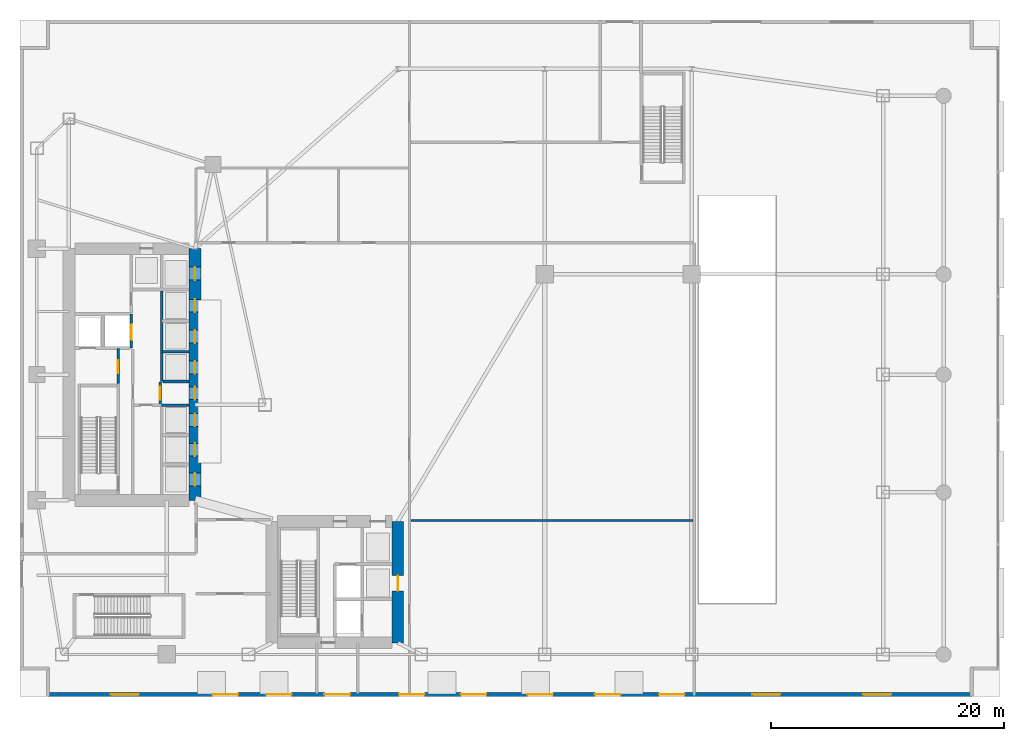
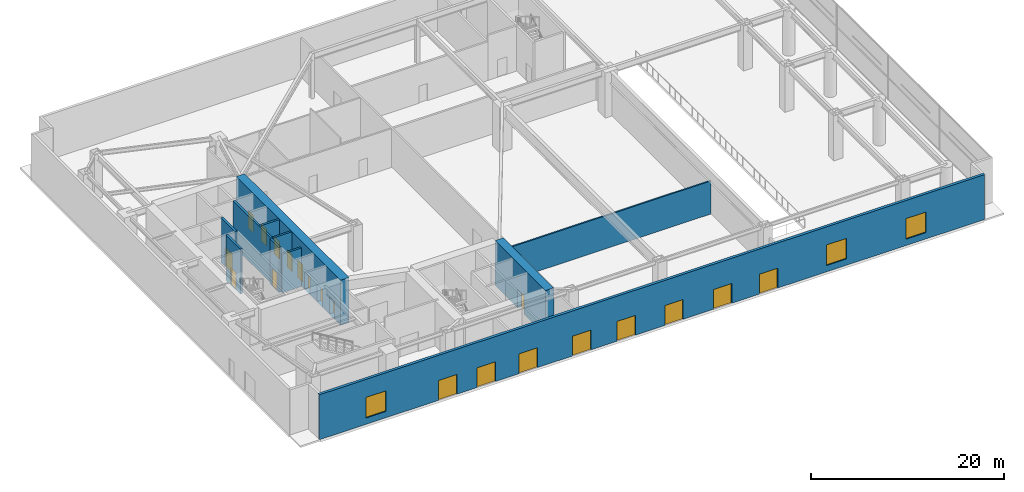
# One storey, part 13 of 20: 20 doors, 11 walls, 3 windows, 23 openings.
"""IFC4 building model written with IfcOpenShell, lengths in metres."""

from ifc_helpers import new_model, si_unit, direction, frame, frame_2d, origin, place, context, subcontext, project, spatial, rectangle, extrude, material, layer, layer_set, type_object, element, fill, save


model = new_model("IFC4")

# Units and contexts
model_context = context("Model", 3, precision=1e-05, world=origin(), true_north=direction((0.0, 1.0)))
body_context = subcontext(model_context, "Body", "Model", "MODEL_VIEW")
ifc_project = project(units=[si_unit("LENGTHUNIT", "METRE"), si_unit("AREAUNIT", "SQUARE_METRE"), si_unit("VOLUMEUNIT", "CUBIC_METRE"), si_unit("PLANEANGLEUNIT", "RADIAN"), si_unit("MASSUNIT", "GRAM", prefix="KILO")], contexts=[model_context])

# Site, building, storey
site_placement = place(None, origin())
site = spatial("IfcSite", under=ifc_project, at=site_placement, CompositionType="ELEMENT")
building_placement = place(site_placement, origin())
building = spatial("IfcBuilding", under=site, at=building_placement, Name="Calvorn Quay Hotel", CompositionType="ELEMENT")
storey_placement = place(building_placement, origin())
storey = spatial("IfcBuildingStorey", under=building, at=storey_placement, Name="L00", CompositionType="ELEMENT", Elevation=0.0)

# Wall, openings, doors
ifc_material_1 = material(Name="Concrete C60", Category="concrete")
ifc_layer_1 = layer(ifc_material_1, 1.0)
ifc_layer_set_1 = layer_set([ifc_layer_1], Name="WL-CORE-1000")
wall_type_1 = type_object("IfcWallType", Name="WL-CORE-1000", PredefinedType="SHEAR", material=ifc_layer_set_1)
wall_1_placement = place(storey_placement, frame((15.0, 16.800048828125, 0.0), z_axis=(0.0, 0.0, 1.0), x_axis=(0.0, 1.0, 0.0)))
wall_1 = element("IfcWall", 1, at=wall_1_placement, inside=storey, type_object=wall_type_1, Name="West Core Shear Wall E (L00)", PredefinedType="SHEAR", context=body_context, shape_type="SweptSolid", body=[
    extrude(rectangle(XDim=21.599853515625, YDim=1.0, at=frame_2d((10.7998046875, 0.0))), origin(), (0.0, 0.0, 1.0), 5.679931640625),
])
opening_1_placement = place(wall_1_placement, frame((8.64990234375, 0.0, 0.0)))
opening_1 = element("IfcOpeningElement", 2, at=opening_1_placement, cuts=wall_1, Name="Opening D-L00-CW1", PredefinedType="OPENING", context=body_context, shape_type="SweptSolid", body=[
    extrude(rectangle(XDim=1.10009765625, YDim=2.199951171875, at=frame_2d((0.550048828125, 1.10009765625))), frame((0.0, 0.510009765625, 0.0), z_axis=(0.0, -1.0, 0.0), x_axis=(1.0, 0.0, 0.0)), (0.0, 0.0, 1.0), 1.02001953125),
])
opening_2_placement = place(wall_1_placement, frame((1.25, 0.0, 0.0)))
opening_2 = element("IfcOpeningElement", 3, at=opening_2_placement, cuts=wall_1, Name="Opening LD-L00-L1", PredefinedType="OPENING", context=body_context, shape_type="SweptSolid", body=[
    extrude(rectangle(XDim=1.10009765625, YDim=2.199951171875, at=frame_2d((0.550048828125, 1.10009765625))), frame((0.0, 0.510009765625, 0.0), z_axis=(0.0, -1.0, 0.0), x_axis=(1.0, 0.0, 0.0)), (0.0, 0.0, 1.0), 1.02001953125),
])
opening_3_placement = place(wall_1_placement, frame((3.800048828125, 0.0, 0.0)))
opening_3 = element("IfcOpeningElement", 4, at=opening_3_placement, cuts=wall_1, Name="Opening LD-L00-L2", PredefinedType="OPENING", context=body_context, shape_type="SweptSolid", body=[
    extrude(rectangle(XDim=1.10009765625, YDim=2.199951171875, at=frame_2d((0.550048828125, 1.10009765625))), frame((0.0, 0.510009765625, 0.0), z_axis=(0.0, -1.0, 0.0), x_axis=(1.0, 0.0, 0.0)), (0.0, 0.0, 1.0), 1.02001953125),
])
opening_4_placement = place(wall_1_placement, frame((6.35009765625, 0.0, 0.0)))
opening_4 = element("IfcOpeningElement", 5, at=opening_4_placement, cuts=wall_1, Name="Opening LD-L00-L3", PredefinedType="OPENING", context=body_context, shape_type="SweptSolid", body=[
    extrude(rectangle(XDim=1.10009765625, YDim=2.199951171875, at=frame_2d((0.550048828125, 1.10009765625))), frame((0.0, 0.510009765625, 0.0), z_axis=(0.0, -1.0, 0.0), x_axis=(1.0, 0.0, 0.0)), (0.0, 0.0, 1.0), 1.02001953125),
])
opening_5_placement = place(wall_1_placement, frame((10.85009765625, 0.0, 0.0)))
opening_5 = element("IfcOpeningElement", 6, at=opening_5_placement, cuts=wall_1, Name="Opening LD-L00-M1", PredefinedType="OPENING", context=body_context, shape_type="SweptSolid", body=[
    extrude(rectangle(XDim=1.10009765625, YDim=2.199951171875, at=frame_2d((0.550048828125, 1.10009765625))), frame((0.0, 0.510009765625, 0.0), z_axis=(0.0, -1.0, 0.0), x_axis=(1.0, 0.0, 0.0)), (0.0, 0.0, 1.0), 1.02001953125),
])
opening_6_placement = place(wall_1_placement, frame((13.5, 0.0, 0.0)))
opening_6 = element("IfcOpeningElement", 7, at=opening_6_placement, cuts=wall_1, Name="Opening LD-L00-M2", PredefinedType="OPENING", context=body_context, shape_type="SweptSolid", body=[
    extrude(rectangle(XDim=1.10009765625, YDim=2.199951171875, at=frame_2d((0.550048828125, 1.10009765625))), frame((0.0, 0.510009765625, 0.0), z_axis=(0.0, -1.0, 0.0), x_axis=(1.0, 0.0, 0.0)), (0.0, 0.0, 1.0), 1.02001953125),
])
opening_7_placement = place(wall_1_placement, frame((16.14990234375, 0.0, 0.0)))
opening_7 = element("IfcOpeningElement", 8, at=opening_7_placement, cuts=wall_1, Name="Opening LD-L00-M3", PredefinedType="OPENING", context=body_context, shape_type="SweptSolid", body=[
    extrude(rectangle(XDim=1.10009765625, YDim=2.199951171875, at=frame_2d((0.550048828125, 1.10009765625))), frame((0.0, 0.510009765625, 0.0), z_axis=(0.0, -1.0, 0.0), x_axis=(1.0, 0.0, 0.0)), (0.0, 0.0, 1.0), 1.02001953125),
])
opening_8_placement = place(wall_1_placement, frame((18.89990234375, 0.0, 0.0)))
opening_8 = element("IfcOpeningElement", 9, at=opening_8_placement, cuts=wall_1, Name="Opening LD-L00-H1", PredefinedType="OPENING", context=body_context, shape_type="SweptSolid", body=[
    extrude(rectangle(XDim=1.10009765625, YDim=2.199951171875, at=frame_2d((0.550048828125, 1.10009765625))), frame((0.0, 0.510009765625, 0.0), z_axis=(0.0, -1.0, 0.0), x_axis=(1.0, 0.0, 0.0)), (0.0, 0.0, 1.0), 1.02001953125),
])
ifc_material_2 = material(Name="Smoke-Sealed Steel Class A Fire Door", Category="steel")
door_type_1 = type_object("IfcDoorType", Name="DR-FFLOBBY-1100", OperationType="NOTDEFINED", PredefinedType="DOOR", material=ifc_material_2)
door_1_placement = place(opening_1_placement, origin())
door_1 = element("IfcDoor", 10, at=door_1_placement, inside=storey, type_object=door_type_1, Name="West Core Vestibule Fire Door (L00)", OperationType="SINGLE_SWING_LEFT", OverallHeight=2.199951171875, OverallWidth=1.10009765625, PredefinedType="DOOR", context=body_context, shape_type="SweptSolid", body=[
    extrude(rectangle(XDim=1.10009765625, YDim=2.199951171875, at=frame_2d((0.550048828125, 1.10009765625))), frame((0.0, 0.02490234375, 0.0), z_axis=(0.0, -1.0, 0.0), x_axis=(1.0, 0.0, 0.0)), (0.0, 0.0, 1.0), 0.050048828125),
])
fill(opening_1, door_1)
ifc_material_3 = material(Name="Brushed Stainless Steel Sliding Lift Landing Door", Category="steel")
door_type_2 = type_object("IfcDoorType", Name="DR-LIFT-PASS-1100", OperationType="NOTDEFINED", PredefinedType="DOOR", material=ifc_material_3)
door_2_placement = place(opening_2_placement, origin())
door_2 = element("IfcDoor", 11, at=door_2_placement, inside=storey, type_object=door_type_2, Name="Low-Rise Lift PL-L1 Landing Door (L00)", OperationType="DOUBLE_DOOR_SLIDING", OverallHeight=2.199951171875, OverallWidth=1.10009765625, PredefinedType="DOOR", context=body_context, shape_type="SweptSolid", body=[
    extrude(rectangle(XDim=1.10009765625, YDim=2.199951171875, at=frame_2d((0.550048828125, 1.10009765625))), frame((0.0, 0.02490234375, 0.0), z_axis=(0.0, -1.0, 0.0), x_axis=(1.0, 0.0, 0.0)), (0.0, 0.0, 1.0), 0.050048828125),
])
fill(opening_2, door_2)
door_3_placement = place(opening_3_placement, origin())
door_3 = element("IfcDoor", 12, at=door_3_placement, inside=storey, type_object=door_type_2, Name="Low-Rise Lift PL-L2 Landing Door (L00)", OperationType="DOUBLE_DOOR_SLIDING", OverallHeight=2.199951171875, OverallWidth=1.10009765625, PredefinedType="DOOR", context=body_context, shape_type="SweptSolid", body=[
    extrude(rectangle(XDim=1.10009765625, YDim=2.199951171875, at=frame_2d((0.550048828125, 1.10009765625))), frame((0.0, 0.02490234375, 0.0), z_axis=(0.0, -1.0, 0.0), x_axis=(1.0, 0.0, 0.0)), (0.0, 0.0, 1.0), 0.050048828125),
])
fill(opening_3, door_3)
door_4_placement = place(opening_4_placement, origin())
door_4 = element("IfcDoor", 13, at=door_4_placement, inside=storey, type_object=door_type_2, Name="Low-Rise Lift PL-L3 Landing Door (L00)", OperationType="DOUBLE_DOOR_SLIDING", OverallHeight=2.199951171875, OverallWidth=1.10009765625, PredefinedType="DOOR", context=body_context, shape_type="SweptSolid", body=[
    extrude(rectangle(XDim=1.10009765625, YDim=2.199951171875, at=frame_2d((0.550048828125, 1.10009765625))), frame((0.0, 0.02490234375, 0.0), z_axis=(0.0, -1.0, 0.0), x_axis=(1.0, 0.0, 0.0)), (0.0, 0.0, 1.0), 0.050048828125),
])
fill(opening_4, door_4)
door_5_placement = place(opening_5_placement, origin())
door_5 = element("IfcDoor", 14, at=door_5_placement, inside=storey, type_object=door_type_2, Name="Mid-Rise Lift PL-M1 Landing Door (L00)", OperationType="DOUBLE_DOOR_SLIDING", OverallHeight=2.199951171875, OverallWidth=1.10009765625, PredefinedType="DOOR", context=body_context, shape_type="SweptSolid", body=[
    extrude(rectangle(XDim=1.10009765625, YDim=2.199951171875, at=frame_2d((0.550048828125, 1.10009765625))), frame((0.0, 0.02490234375, 0.0), z_axis=(0.0, -1.0, 0.0), x_axis=(1.0, 0.0, 0.0)), (0.0, 0.0, 1.0), 0.050048828125),
])
fill(opening_5, door_5)
door_6_placement = place(opening_6_placement, origin())
door_6 = element("IfcDoor", 15, at=door_6_placement, inside=storey, type_object=door_type_2, Name="Mid-Rise Lift PL-M2 Landing Door (L00)", OperationType="DOUBLE_DOOR_SLIDING", OverallHeight=2.199951171875, OverallWidth=1.10009765625, PredefinedType="DOOR", context=body_context, shape_type="SweptSolid", body=[
    extrude(rectangle(XDim=1.10009765625, YDim=2.199951171875, at=frame_2d((0.550048828125, 1.10009765625))), frame((0.0, 0.02490234375, 0.0), z_axis=(0.0, -1.0, 0.0), x_axis=(1.0, 0.0, 0.0)), (0.0, 0.0, 1.0), 0.050048828125),
])
fill(opening_6, door_6)
door_7_placement = place(opening_7_placement, origin())
door_7 = element("IfcDoor", 16, at=door_7_placement, inside=storey, type_object=door_type_2, Name="Mid-Rise Lift PL-M3 Landing Door (L00)", OperationType="DOUBLE_DOOR_SLIDING", OverallHeight=2.199951171875, OverallWidth=1.10009765625, PredefinedType="DOOR", context=body_context, shape_type="SweptSolid", body=[
    extrude(rectangle(XDim=1.10009765625, YDim=2.199951171875, at=frame_2d((0.550048828125, 1.10009765625))), frame((0.0, 0.02490234375, 0.0), z_axis=(0.0, -1.0, 0.0), x_axis=(1.0, 0.0, 0.0)), (0.0, 0.0, 1.0), 0.050048828125),
])
fill(opening_7, door_7)
door_8_placement = place(opening_8_placement, origin())
door_8 = element("IfcDoor", 17, at=door_8_placement, inside=storey, type_object=door_type_2, Name="High-Rise Lift PL-H1 Landing Door (L00)", OperationType="DOUBLE_DOOR_SLIDING", OverallHeight=2.199951171875, OverallWidth=1.10009765625, PredefinedType="DOOR", context=body_context, shape_type="SweptSolid", body=[
    extrude(rectangle(XDim=1.10009765625, YDim=2.199951171875, at=frame_2d((0.550048828125, 1.10009765625))), frame((0.0, 0.02490234375, 0.0), z_axis=(0.0, -1.0, 0.0), x_axis=(1.0, 0.0, 0.0)), (0.0, 0.0, 1.0), 0.050048828125),
])
fill(opening_8, door_8)

# Wall, opening, door
wall_2_placement = place(storey_placement, frame((32.39990234375, 4.60009765625, 0.0), z_axis=(0.0, 0.0, 1.0), x_axis=(0.0, 1.0, 0.0)))
wall_2 = element("IfcWall", 18, at=wall_2_placement, inside=storey, type_object=wall_type_1, Name="East Core Shear Wall E (L00)", PredefinedType="SHEAR", context=body_context, shape_type="SweptSolid", body=[
    extrude(rectangle(XDim=10.39990234375, YDim=1.0, at=frame_2d((5.199951171875, 0.0))), origin(), (0.0, 0.0, 1.0), 5.679931640625),
])
opening_9_placement = place(wall_2_placement, frame((4.449951171875, 0.0, 0.0)))
opening_9 = element("IfcOpeningElement", 19, at=opening_9_placement, cuts=wall_2, Name="Opening LD-L00-OB2", PredefinedType="OPENING", context=body_context, shape_type="SweptSolid", body=[
    extrude(rectangle(XDim=1.300048828125, YDim=2.35009765625, at=frame_2d((0.64990234375, 1.175048828125))), frame((0.0, 0.510009765625, 0.0), z_axis=(0.0, -1.0, 0.0), x_axis=(1.0, 0.0, 0.0)), (0.0, 0.0, 1.0), 1.02001953125),
])
ifc_material_4 = material(Name="Champagne-Bronze Sliding Express Lift Landing Door")
door_type_3 = type_object("IfcDoorType", Name="DR-LIFT-SHUTTLE-1300", OperationType="NOTDEFINED", PredefinedType="DOOR", material=ifc_material_4)
door_9_placement = place(opening_9_placement, origin())
door_9 = element("IfcDoor", 20, at=door_9_placement, inside=storey, type_object=door_type_3, Name="Observation Shuttle PL-OB2 Landing Door (L00)", OperationType="DOUBLE_DOOR_SLIDING", OverallHeight=2.35009765625, OverallWidth=1.300048828125, PredefinedType="DOOR", context=body_context, shape_type="SweptSolid", body=[
    extrude(rectangle(XDim=1.300048828125, YDim=2.35009765625, at=frame_2d((0.64990234375, 1.175048828125))), frame((0.0, 0.02490234375, 0.0), z_axis=(0.0, -1.0, 0.0), x_axis=(1.0, 0.0, 0.0)), (0.0, 0.0, 1.0), 0.050048828125),
])
fill(opening_9, door_9)

# Wall
ifc_material_5 = material(Name="Acoustic Fireboard Steel-Stud Partition", Category="steel")
ifc_layer_2 = layer(ifc_material_5, 0.179931640625)
ifc_layer_set_2 = layer_set([ifc_layer_2], Name="WL-CORR-FIRE-180")
wall_type_2 = type_object("IfcWallType", Name="WL-CORR-FIRE-180", PredefinedType="PARTITIONING", material=ifc_layer_set_2)
wall_3_placement = place(storey_placement, frame((33.52001953125, 15.10009765625, 0.0), z_axis=(0.0, 0.0, 1.0), x_axis=(1.0, 0.0, 0.0)))
element("IfcWall", 21, at=wall_3_placement, inside=storey, type_object=wall_type_2, Name="Partition Wall L00-WL-L00-CAF-S", PredefinedType="PARTITIONING", context=body_context, shape_type="SweptSolid", body=[
    extrude(rectangle(XDim=24.179931640625, YDim=0.179931640625, at=frame_2d((12.08984375, 0.0))), origin(), (0.0, 0.0, 1.0), 4.179931640625),
])

# Wall, openings, doors, windows
ifc_material_6 = material(Name="Concrete C40", Category="concrete")
ifc_layer_3 = layer(ifc_material_6, 0.320068359375)
ifc_layer_set_3 = layer_set([ifc_layer_3], Name="WL-EXT-SPANDREL-320")
wall_type_3 = type_object("IfcWallType", Name="WL-EXT-SPANDREL-320", PredefinedType="SOLIDWALL", material=ifc_layer_set_3)
wall_4_placement = place(storey_placement, frame((81.699951171875, 0.159912109375, 0.0), z_axis=(0.0, 0.0, 1.0), x_axis=(-1.0, 0.0, 0.0)))
wall_4 = element("IfcWall", 22, at=wall_4_placement, inside=storey, type_object=wall_type_3, Name="L00 Waterfront Promenade South Wall", PredefinedType="SOLIDWALL", context=body_context, shape_type="SweptSolid", body=[
    extrude(rectangle(XDim=79.39990234375, YDim=0.320068359375, at=frame_2d((39.699951171875, 0.0))), origin(), (0.0, 0.0, 1.0), 5.679931640625),
])
opening_10_placement = place(wall_4_placement, frame((63.0, 0.0, 0.0)))
opening_10 = element("IfcOpeningElement", 23, at=opening_10_placement, cuts=wall_4, Name="Opening EX-01", PredefinedType="OPENING", context=body_context, shape_type="SweptSolid", body=[
    extrude(rectangle(XDim=2.199951171875, YDim=2.5, at=frame_2d((1.10009765625, 1.25))), frame((0.0, 0.169921875, 0.0), z_axis=(0.0, -1.0, 0.0), x_axis=(1.0, 0.0, 0.0)), (0.0, 0.0, 1.0), 0.340087890625),
])
opening_11_placement = place(wall_4_placement, frame((58.39990234375, 0.0, 0.0)))
opening_11 = element("IfcOpeningElement", 24, at=opening_11_placement, cuts=wall_4, Name="Opening EX-02", PredefinedType="OPENING", context=body_context, shape_type="SweptSolid", body=[
    extrude(rectangle(XDim=2.199951171875, YDim=2.5, at=frame_2d((1.10009765625, 1.25))), frame((0.0, 0.169921875, 0.0), z_axis=(0.0, -1.0, 0.0), x_axis=(1.0, 0.0, 0.0)), (0.0, 0.0, 1.0), 0.340087890625),
])
opening_12_placement = place(wall_4_placement, frame((53.39990234375, 0.0, 0.0)))
opening_12 = element("IfcOpeningElement", 25, at=opening_12_placement, cuts=wall_4, Name="Opening EX-03", PredefinedType="OPENING", context=body_context, shape_type="SweptSolid", body=[
    extrude(rectangle(XDim=2.199951171875, YDim=2.5, at=frame_2d((1.10009765625, 1.25))), frame((0.0, 0.169921875, 0.0), z_axis=(0.0, -1.0, 0.0), x_axis=(1.0, 0.0, 0.0)), (0.0, 0.0, 1.0), 0.340087890625),
])
opening_13_placement = place(wall_4_placement, frame((47.0, 0.0, 0.0)))
opening_13 = element("IfcOpeningElement", 26, at=opening_13_placement, cuts=wall_4, Name="Opening EX-04", PredefinedType="OPENING", context=body_context, shape_type="SweptSolid", body=[
    extrude(rectangle(XDim=2.199951171875, YDim=2.5, at=frame_2d((1.10009765625, 1.25))), frame((0.0, 0.169921875, 0.0), z_axis=(0.0, -1.0, 0.0), x_axis=(1.0, 0.0, 0.0)), (0.0, 0.0, 1.0), 0.340087890625),
])
opening_14_placement = place(wall_4_placement, frame((41.699951171875, 0.0, 0.0)))
opening_14 = element("IfcOpeningElement", 27, at=opening_14_placement, cuts=wall_4, Name="Opening EX-07", PredefinedType="OPENING", context=body_context, shape_type="SweptSolid", body=[
    extrude(rectangle(XDim=2.199951171875, YDim=2.5, at=frame_2d((1.10009765625, 1.25))), frame((0.0, 0.169921875, 0.0), z_axis=(0.0, -1.0, 0.0), x_axis=(1.0, 0.0, 0.0)), (0.0, 0.0, 1.0), 0.340087890625),
])
opening_15_placement = place(wall_4_placement, frame((36.0, 0.0, 0.0)))
opening_15 = element("IfcOpeningElement", 28, at=opening_15_placement, cuts=wall_4, Name="Opening EX-08", PredefinedType="OPENING", context=body_context, shape_type="SweptSolid", body=[
    extrude(rectangle(XDim=2.199951171875, YDim=2.5, at=frame_2d((1.10009765625, 1.25))), frame((0.0, 0.169921875, 0.0), z_axis=(0.0, -1.0, 0.0), x_axis=(1.0, 0.0, 0.0)), (0.0, 0.0, 1.0), 0.340087890625),
])
opening_16_placement = place(wall_4_placement, frame((30.199951171875, 0.0, 0.0)))
opening_16 = element("IfcOpeningElement", 29, at=opening_16_placement, cuts=wall_4, Name="Opening EX-09", PredefinedType="OPENING", context=body_context, shape_type="SweptSolid", body=[
    extrude(rectangle(XDim=2.199951171875, YDim=2.5, at=frame_2d((1.10009765625, 1.25))), frame((0.0, 0.169921875, 0.0), z_axis=(0.0, -1.0, 0.0), x_axis=(1.0, 0.0, 0.0)), (0.0, 0.0, 1.0), 0.340087890625),
])
opening_17_placement = place(wall_4_placement, frame((24.699951171875, 0.0, 0.0)))
opening_17 = element("IfcOpeningElement", 30, at=opening_17_placement, cuts=wall_4, Name="Opening EX-10", PredefinedType="OPENING", context=body_context, shape_type="SweptSolid", body=[
    extrude(rectangle(XDim=2.199951171875, YDim=2.5, at=frame_2d((1.10009765625, 1.25))), frame((0.0, 0.169921875, 0.0), z_axis=(0.0, -1.0, 0.0), x_axis=(1.0, 0.0, 0.0)), (0.0, 0.0, 1.0), 0.340087890625),
])
opening_18_placement = place(wall_4_placement, frame((71.5, 0.0, 0.800048828125)))
opening_18 = element("IfcOpeningElement", 31, at=opening_18_placement, cuts=wall_4, Name="Opening WP-L00-S1", PredefinedType="OPENING", context=body_context, shape_type="SweptSolid", body=[
    extrude(rectangle(XDim=2.39990234375, YDim=2.60009765625, at=frame_2d((1.199951171875, 1.300048828125))), frame((0.0, 0.169921875, 0.0), z_axis=(0.0, -1.0, 0.0), x_axis=(1.0, 0.0, 0.0)), (0.0, 0.0, 1.0), 0.340087890625),
])
opening_19_placement = place(wall_4_placement, frame((16.5, 0.0, 0.800048828125)))
opening_19 = element("IfcOpeningElement", 32, at=opening_19_placement, cuts=wall_4, Name="Opening WP-L00-S2", PredefinedType="OPENING", context=body_context, shape_type="SweptSolid", body=[
    extrude(rectangle(XDim=2.39990234375, YDim=2.60009765625, at=frame_2d((1.199951171875, 1.300048828125))), frame((0.0, 0.169921875, 0.0), z_axis=(0.0, -1.0, 0.0), x_axis=(1.0, 0.0, 0.0)), (0.0, 0.0, 1.0), 0.340087890625),
])
opening_20_placement = place(wall_4_placement, frame((7.0, 0.0, 0.800048828125)))
opening_20 = element("IfcOpeningElement", 33, at=opening_20_placement, cuts=wall_4, Name="Opening WP-L00-S3", PredefinedType="OPENING", context=body_context, shape_type="SweptSolid", body=[
    extrude(rectangle(XDim=2.39990234375, YDim=2.60009765625, at=frame_2d((1.199951171875, 1.300048828125))), frame((0.0, 0.169921875, 0.0), z_axis=(0.0, -1.0, 0.0), x_axis=(1.0, 0.0, 0.0)), (0.0, 0.0, 1.0), 0.340087890625),
])
ifc_material_7 = material(Name="Thermally Broken Bronze-Anodised Aluminium Glazed Door", Category="aluminium")
door_type_4 = type_object("IfcDoorType", Name="DR-MAIN-EXIT-2200", OperationType="NOTDEFINED", PredefinedType="DOOR", material=ifc_material_7)
door_10_placement = place(opening_10_placement, origin())
door_10 = element("IfcDoor", 34, at=door_10_placement, inside=storey, type_object=door_type_4, Name="Waterfront Final Exit Door EX-01", OperationType="DOUBLE_DOOR_SINGLE_SWING", OverallHeight=2.5, OverallWidth=2.199951171875, PredefinedType="DOOR", context=body_context, shape_type="SweptSolid", body=[
    extrude(rectangle(XDim=2.199951171875, YDim=2.5, at=frame_2d((1.10009765625, 1.25))), frame((0.0, 0.02490234375, 0.0), z_axis=(0.0, -1.0, 0.0), x_axis=(1.0, 0.0, 0.0)), (0.0, 0.0, 1.0), 0.050048828125),
])
fill(opening_10, door_10)
door_11_placement = place(opening_11_placement, origin())
door_11 = element("IfcDoor", 35, at=door_11_placement, inside=storey, type_object=door_type_4, Name="Waterfront Final Exit Door EX-02", OperationType="DOUBLE_DOOR_SINGLE_SWING", OverallHeight=2.5, OverallWidth=2.199951171875, PredefinedType="DOOR", context=body_context, shape_type="SweptSolid", body=[
    extrude(rectangle(XDim=2.199951171875, YDim=2.5, at=frame_2d((1.10009765625, 1.25))), frame((0.0, 0.02490234375, 0.0), z_axis=(0.0, -1.0, 0.0), x_axis=(1.0, 0.0, 0.0)), (0.0, 0.0, 1.0), 0.050048828125),
])
fill(opening_11, door_11)
door_12_placement = place(opening_12_placement, origin())
door_12 = element("IfcDoor", 36, at=door_12_placement, inside=storey, type_object=door_type_4, Name="Waterfront Final Exit Door EX-03", OperationType="DOUBLE_DOOR_SINGLE_SWING", OverallHeight=2.5, OverallWidth=2.199951171875, PredefinedType="DOOR", context=body_context, shape_type="SweptSolid", body=[
    extrude(rectangle(XDim=2.199951171875, YDim=2.5, at=frame_2d((1.10009765625, 1.25))), frame((0.0, 0.02490234375, 0.0), z_axis=(0.0, -1.0, 0.0), x_axis=(1.0, 0.0, 0.0)), (0.0, 0.0, 1.0), 0.050048828125),
])
fill(opening_12, door_12)
door_13_placement = place(opening_13_placement, origin())
door_13 = element("IfcDoor", 37, at=door_13_placement, inside=storey, type_object=door_type_4, Name="Waterfront Final Exit Door EX-04", OperationType="DOUBLE_DOOR_SINGLE_SWING", OverallHeight=2.5, OverallWidth=2.199951171875, PredefinedType="DOOR", context=body_context, shape_type="SweptSolid", body=[
    extrude(rectangle(XDim=2.199951171875, YDim=2.5, at=frame_2d((1.10009765625, 1.25))), frame((0.0, 0.02490234375, 0.0), z_axis=(0.0, -1.0, 0.0), x_axis=(1.0, 0.0, 0.0)), (0.0, 0.0, 1.0), 0.050048828125),
])
fill(opening_13, door_13)
door_14_placement = place(opening_14_placement, origin())
door_14 = element("IfcDoor", 38, at=door_14_placement, inside=storey, type_object=door_type_4, Name="Waterfront Final Exit Door EX-07", OperationType="DOUBLE_DOOR_SINGLE_SWING", OverallHeight=2.5, OverallWidth=2.199951171875, PredefinedType="DOOR", context=body_context, shape_type="SweptSolid", body=[
    extrude(rectangle(XDim=2.199951171875, YDim=2.5, at=frame_2d((1.10009765625, 1.25))), frame((0.0, 0.02490234375, 0.0), z_axis=(0.0, -1.0, 0.0), x_axis=(1.0, 0.0, 0.0)), (0.0, 0.0, 1.0), 0.050048828125),
])
fill(opening_14, door_14)
door_15_placement = place(opening_15_placement, origin())
door_15 = element("IfcDoor", 39, at=door_15_placement, inside=storey, type_object=door_type_4, Name="Waterfront Final Exit Door EX-08", OperationType="DOUBLE_DOOR_SINGLE_SWING", OverallHeight=2.5, OverallWidth=2.199951171875, PredefinedType="DOOR", context=body_context, shape_type="SweptSolid", body=[
    extrude(rectangle(XDim=2.199951171875, YDim=2.5, at=frame_2d((1.10009765625, 1.25))), frame((0.0, 0.02490234375, 0.0), z_axis=(0.0, -1.0, 0.0), x_axis=(1.0, 0.0, 0.0)), (0.0, 0.0, 1.0), 0.050048828125),
])
fill(opening_15, door_15)
door_16_placement = place(opening_16_placement, origin())
door_16 = element("IfcDoor", 40, at=door_16_placement, inside=storey, type_object=door_type_4, Name="Waterfront Final Exit Door EX-09", OperationType="DOUBLE_DOOR_SINGLE_SWING", OverallHeight=2.5, OverallWidth=2.199951171875, PredefinedType="DOOR", context=body_context, shape_type="SweptSolid", body=[
    extrude(rectangle(XDim=2.199951171875, YDim=2.5, at=frame_2d((1.10009765625, 1.25))), frame((0.0, 0.02490234375, 0.0), z_axis=(0.0, -1.0, 0.0), x_axis=(1.0, 0.0, 0.0)), (0.0, 0.0, 1.0), 0.050048828125),
])
fill(opening_16, door_16)
door_17_placement = place(opening_17_placement, origin())
door_17 = element("IfcDoor", 41, at=door_17_placement, inside=storey, type_object=door_type_4, Name="Waterfront Final Exit Door EX-10", OperationType="DOUBLE_DOOR_SINGLE_SWING", OverallHeight=2.5, OverallWidth=2.199951171875, PredefinedType="DOOR", context=body_context, shape_type="SweptSolid", body=[
    extrude(rectangle(XDim=2.199951171875, YDim=2.5, at=frame_2d((1.10009765625, 1.25))), frame((0.0, 0.02490234375, 0.0), z_axis=(0.0, -1.0, 0.0), x_axis=(1.0, 0.0, 0.0)), (0.0, 0.0, 1.0), 0.050048828125),
])
fill(opening_17, door_17)
ifc_material_8 = material(Name="Thermally Broken Aluminium Low-E Window", Category="aluminium")
window_type = type_object("IfcWindowType", Name="WIN-POD-2400x2800", PartitioningType="SINGLE_PANEL", PredefinedType="WINDOW", material=ifc_material_8)
window_1_placement = place(opening_18_placement, origin())
window_1 = element("IfcWindow", 42, at=window_1_placement, inside=storey, type_object=window_type, Name="Promenade Lobby Window WP-L00-S1", OverallHeight=2.60009765625, OverallWidth=2.39990234375, PartitioningType="SINGLE_PANEL", PredefinedType="WINDOW", context=body_context, shape_type="SweptSolid", body=[
    extrude(rectangle(XDim=2.39990234375, YDim=2.60009765625, at=frame_2d((1.199951171875, 1.300048828125))), frame((0.0, 0.030029296875, 0.0), z_axis=(0.0, -1.0, 0.0), x_axis=(1.0, 0.0, 0.0)), (0.0, 0.0, 1.0), 0.06005859375),
])
fill(opening_18, window_1)
window_2_placement = place(opening_19_placement, origin())
window_2 = element("IfcWindow", 43, at=window_2_placement, inside=storey, type_object=window_type, Name="Promenade Lobby Window WP-L00-S2", OverallHeight=2.60009765625, OverallWidth=2.39990234375, PartitioningType="SINGLE_PANEL", PredefinedType="WINDOW", context=body_context, shape_type="SweptSolid", body=[
    extrude(rectangle(XDim=2.39990234375, YDim=2.60009765625, at=frame_2d((1.199951171875, 1.300048828125))), frame((0.0, 0.030029296875, 0.0), z_axis=(0.0, -1.0, 0.0), x_axis=(1.0, 0.0, 0.0)), (0.0, 0.0, 1.0), 0.06005859375),
])
fill(opening_19, window_2)
window_3_placement = place(opening_20_placement, origin())
window_3 = element("IfcWindow", 44, at=window_3_placement, inside=storey, type_object=window_type, Name="Promenade Lobby Window WP-L00-S3", OverallHeight=2.60009765625, OverallWidth=2.39990234375, PartitioningType="SINGLE_PANEL", PredefinedType="WINDOW", context=body_context, shape_type="SweptSolid", body=[
    extrude(rectangle(XDim=2.39990234375, YDim=2.60009765625, at=frame_2d((1.199951171875, 1.300048828125))), frame((0.0, 0.030029296875, 0.0), z_axis=(0.0, -1.0, 0.0), x_axis=(1.0, 0.0, 0.0)), (0.0, 0.0, 1.0), 0.06005859375),
])
fill(opening_20, window_3)

# Wall, opening, door
ifc_material_9 = material(Name="Autoclaved Aerated Masonry Block", Category="masonry")
ifc_layer_4 = layer(ifc_material_9, 0.219970703125)
ifc_layer_set_4 = layer_set([ifc_layer_4], Name="WL-LOBBY-FIRE-220")
wall_type_4 = type_object("IfcWallType", Name="WL-LOBBY-FIRE-220", PredefinedType="SOLIDWALL", material=ifc_layer_set_4)
wall_5_placement = place(storey_placement, frame((12.02001953125, 25.050048828125, 0.0), z_axis=(0.0, 0.0, 1.0), x_axis=(0.0, 1.0, 0.0)))
wall_5 = element("IfcWall", 45, at=wall_5_placement, inside=storey, type_object=wall_type_4, Name="Partition Wall L00-WL-L00-CWW-PSVT", PredefinedType="SOLIDWALL", context=body_context, shape_type="SweptSolid", body=[
    extrude(rectangle(XDim=1.929931640625, YDim=0.219970703125, at=frame_2d((0.96484375, 0.0))), origin(), (0.0, 0.0, 1.0), 5.679931640625),
])
opening_21_placement = place(wall_5_placement, frame((0.39990234375, 0.0, 0.0)))
opening_21 = element("IfcOpeningElement", 46, at=opening_21_placement, cuts=wall_5, Name="Opening D-L00-PVT", PredefinedType="OPENING", context=body_context, shape_type="SweptSolid", body=[
    extrude(rectangle(XDim=1.10009765625, YDim=2.199951171875, at=frame_2d((0.550048828125, 1.10009765625))), frame((0.0, 0.119873046875, 0.0), z_axis=(0.0, -1.0, 0.0), x_axis=(1.0, 0.0, 0.0)), (0.0, 0.0, 1.0), 0.239990234375),
])
door_18_placement = place(opening_21_placement, origin())
door_18 = element("IfcDoor", 47, at=door_18_placement, inside=storey, type_object=door_type_1, Name="West Core Exit Vestibule Fire Door", OperationType="SINGLE_SWING_RIGHT", OverallHeight=2.199951171875, OverallWidth=1.10009765625, PredefinedType="DOOR", context=body_context, shape_type="SweptSolid", body=[
    extrude(rectangle(XDim=1.10009765625, YDim=2.199951171875, at=frame_2d((0.550048828125, 1.10009765625))), frame((0.0, 0.02490234375, 0.0), z_axis=(0.0, -1.0, 0.0), x_axis=(1.0, 0.0, 0.0)), (0.0, 0.0, 1.0), 0.050048828125),
])
fill(opening_21, door_18)

# Wall
ifc_material_10 = material(Name="Concrete C40", Category="concrete")
ifc_layer_5 = layer(ifc_material_10, 0.239990234375)
ifc_layer_set_5 = layer_set([ifc_layer_5], Name="WL-SHAFT-240")
wall_type_5 = type_object("IfcWallType", Name="WL-SHAFT-240", PredefinedType="SOLIDWALL", material=ifc_layer_set_5)
wall_6_placement = place(storey_placement, frame((12.179931640625, 29.550048828125, 0.0), z_axis=(0.0, 0.0, 1.0), x_axis=(1.0, 0.0, 0.0)))
element("IfcWall", 48, at=wall_6_placement, inside=storey, type_object=wall_type_5, Name="Lift Hoistway Divider Wall PLM12 (L00)", PredefinedType="SOLIDWALL", context=body_context, shape_type="SweptSolid", body=[
    extrude(rectangle(XDim=2.320068359375, YDim=0.239990234375, at=frame_2d((1.16015625, 0.0))), origin(), (0.0, 0.0, 1.0), 5.679931640625),
])

# Wall, opening, door
wall_7_placement = place(storey_placement, frame((8.419921875, 26.820068359375, 0.0), z_axis=(0.0, 0.0, 1.0), x_axis=(0.0, 1.0, 0.0)))
wall_7 = element("IfcWall", 49, at=wall_7_placement, inside=storey, type_object=wall_type_5, Name="Partition Wall L00-WL-CWW-FFL-E", PredefinedType="SOLIDWALL", context=body_context, shape_type="SweptSolid", body=[
    extrude(rectangle(XDim=3.0, YDim=0.239990234375, at=frame_2d((1.5, 0.0))), origin(), (0.0, 0.0, 1.0), 5.679931640625),
])
opening_22_placement = place(wall_7_placement, frame((0.89990234375, 0.0, 0.0)))
opening_22 = element("IfcOpeningElement", 50, at=opening_22_placement, cuts=wall_7, Name="Opening D-L00-FLW", PredefinedType="OPENING", context=body_context, shape_type="SweptSolid", body=[
    extrude(rectangle(XDim=1.10009765625, YDim=2.199951171875, at=frame_2d((0.550048828125, 1.10009765625))), frame((0.0, 0.1298828125, 0.0), z_axis=(0.0, -1.0, 0.0), x_axis=(1.0, 0.0, 0.0)), (0.0, 0.0, 1.0), 0.260009765625),
])
door_19_placement = place(opening_22_placement, origin())
door_19 = element("IfcDoor", 51, at=door_19_placement, inside=storey, type_object=door_type_1, Name="West Firefighting Lobby Fire Door (L00)", OperationType="SINGLE_SWING_RIGHT", OverallHeight=2.199951171875, OverallWidth=1.10009765625, PredefinedType="DOOR", context=body_context, shape_type="SweptSolid", body=[
    extrude(rectangle(XDim=1.10009765625, YDim=2.199951171875, at=frame_2d((0.550048828125, 1.10009765625))), frame((0.0, 0.02490234375, 0.0), z_axis=(0.0, -1.0, 0.0), x_axis=(1.0, 0.0, 0.0)), (0.0, 0.0, 1.0), 0.050048828125),
])
fill(opening_22, door_19)

wall_8_placement = place(storey_placement, frame((9.5400390625, 29.8798828125, 0.0), z_axis=(0.0, 0.0, 1.0), x_axis=(0.0, 1.0, 0.0)))
wall_8 = element("IfcWall", 52, at=wall_8_placement, inside=storey, type_object=wall_type_5, Name="Partition Wall L00-WL-CWW-SLW-E", PredefinedType="SOLIDWALL", context=body_context, shape_type="SweptSolid", body=[
    extrude(rectangle(XDim=2.900146484375, YDim=0.239990234375, at=frame_2d((1.4501953125, 0.0))), origin(), (0.0, 0.0, 1.0), 5.679931640625),
])
opening_23_placement = place(wall_8_placement, frame((0.699951171875, 0.0, 0.0)))
opening_23 = element("IfcOpeningElement", 53, at=opening_23_placement, cuts=wall_8, Name="Opening LD-L00-SLW1", PredefinedType="OPENING", context=body_context, shape_type="SweptSolid", body=[
    extrude(rectangle(XDim=1.300048828125, YDim=2.35009765625, at=frame_2d((0.64990234375, 1.175048828125))), frame((0.0, 0.1298828125, 0.0), z_axis=(0.0, -1.0, 0.0), x_axis=(1.0, 0.0, 0.0)), (0.0, 0.0, 1.0), 0.260009765625),
])
door_20_placement = place(opening_23_placement, origin())
door_20 = element("IfcDoor", 54, at=door_20_placement, inside=storey, type_object=door_type_3, Name="Service Lift SL-W1 Landing Door (L00)", OperationType="DOUBLE_DOOR_SLIDING", OverallHeight=2.35009765625, OverallWidth=1.300048828125, PredefinedType="DOOR", context=body_context, shape_type="SweptSolid", body=[
    extrude(rectangle(XDim=1.300048828125, YDim=2.35009765625, at=frame_2d((0.64990234375, 1.175048828125))), frame((0.0, 0.02490234375, 0.0), z_axis=(0.0, -1.0, 0.0), x_axis=(1.0, 0.0, 0.0)), (0.0, 0.0, 1.0), 0.050048828125),
])
fill(opening_23, door_20)

# Walls
wall_9_placement = place(storey_placement, frame((12.14990234375, 24.969970703125, 0.0), z_axis=(0.0, 0.0, 1.0), x_axis=(1.0, 0.0, 0.0)))
element("IfcWall", 55, at=wall_9_placement, inside=storey, type_object=wall_type_5, Name="Partition Wall L00-WL-CWW-PLL-SHN", PredefinedType="SOLIDWALL", context=body_context, shape_type="SweptSolid", body=[
    extrude(rectangle(XDim=2.330078125, YDim=0.239990234375, at=frame_2d((1.1650390625, 0.0))), origin(), (0.0, 0.0, 1.0), 4.8798828125),
])
wall_10_placement = place(storey_placement, frame((12.25, 27.0, 0.0), z_axis=(0.0, 0.0, 1.0), x_axis=(1.0, 0.0, 0.0)))
element("IfcWall", 56, at=wall_10_placement, inside=storey, type_object=wall_type_5, Name="Partition Wall L00-WL-CWW-PLM-S", PredefinedType="SOLIDWALL", context=body_context, shape_type="SweptSolid", body=[
    extrude(rectangle(XDim=2.22998046875, YDim=0.239990234375, at=frame_2d((1.114990234375, 0.0))), origin(), (0.0, 0.0, 1.0), 5.679931640625),
])
wall_11_placement = place(storey_placement, frame((12.14990234375, 27.0, 0.0), z_axis=(0.0, 0.0, 1.0), x_axis=(0.0, 1.0, 0.0)))
element("IfcWall", 57, at=wall_11_placement, inside=storey, type_object=wall_type_5, Name="Partition Wall L00-WL-CWW-PLM-W", PredefinedType="SOLIDWALL", context=body_context, shape_type="SweptSolid", body=[
    extrude(rectangle(XDim=7.75, YDim=0.239990234375, at=frame_2d((3.875, 0.0))), origin(), (0.0, 0.0, 1.0), 5.679931640625),
])

save(model, "model.ifc")
